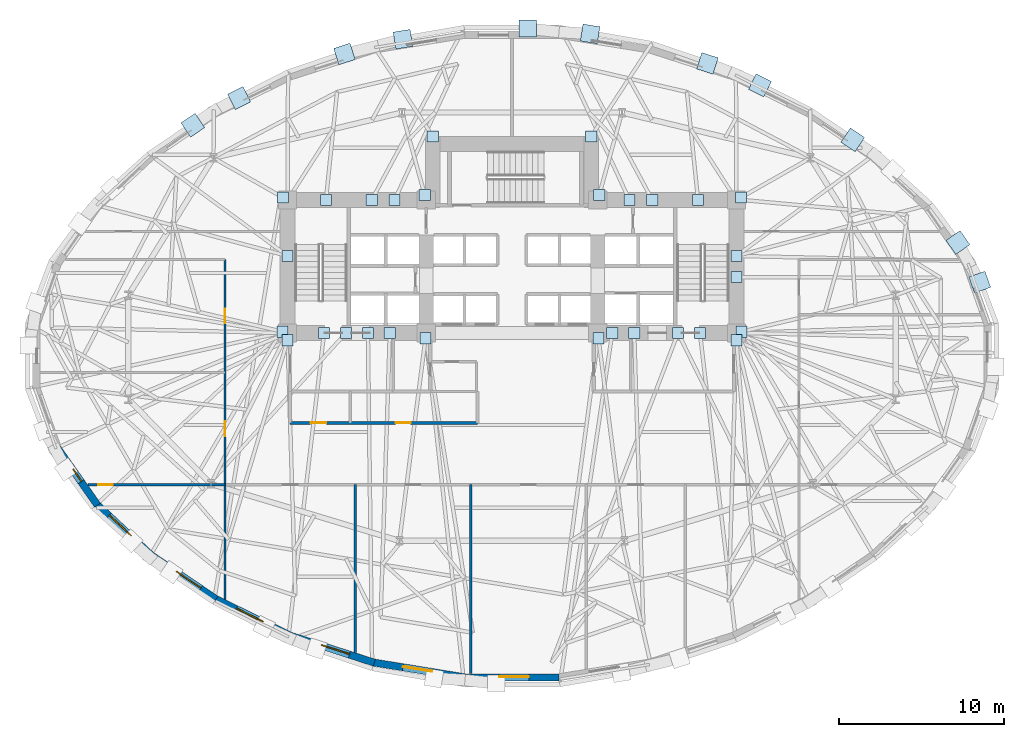
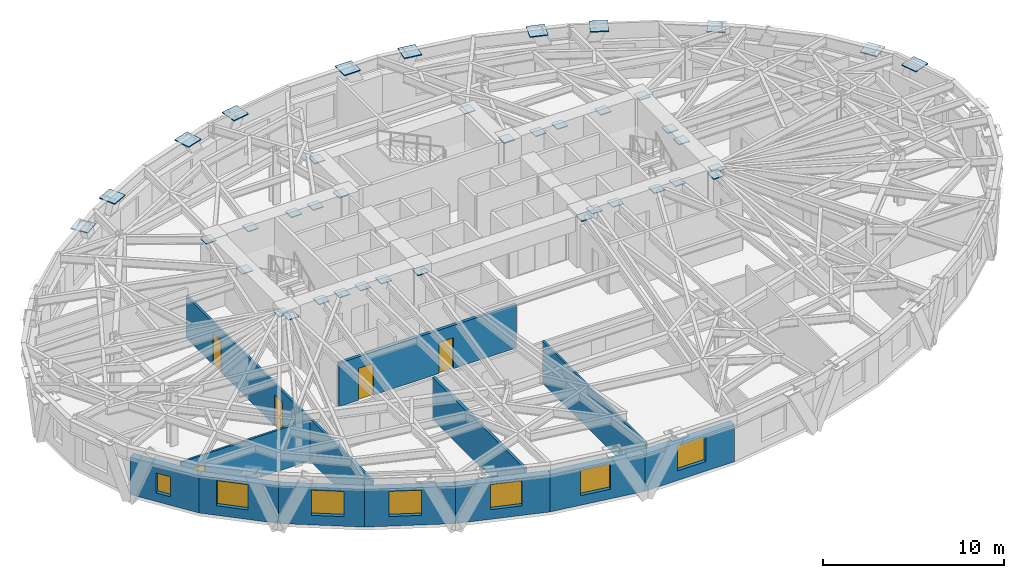
# One storey, part 6 of 14: 40 plates, 12 walls, 7 windows, 5 doors, 12 openings.
"""IFC4 building model written with IfcOpenShell, lengths in metres."""

from ifc_helpers import new_model, si_unit, direction, frame, frame_2d, origin, origin_2d, place, context, subcontext, project, spatial, rectangle, extrude, material, layer, layer_set, type_object, element, fill, save


model = new_model("IFC4")

# Units and contexts
model_context = context("Model", 3, precision=1e-05, world=origin(), true_north=direction((0.0, 1.0)))
body_context = subcontext(model_context, "Body", "Model", "MODEL_VIEW")
ifc_project = project(units=[si_unit("LENGTHUNIT", "METRE"), si_unit("AREAUNIT", "SQUARE_METRE"), si_unit("VOLUMEUNIT", "CUBIC_METRE"), si_unit("PLANEANGLEUNIT", "RADIAN"), si_unit("MASSUNIT", "GRAM", prefix="KILO")], contexts=[model_context])

# Site, building, storey
site_placement = place(None, origin())
site = spatial("IfcSite", under=ifc_project, at=site_placement, CompositionType="ELEMENT")
building_placement = place(site_placement, origin())
building = spatial("IfcBuilding", under=site, at=building_placement, Name="Keldmark Tower", CompositionType="ELEMENT")
storey_placement = place(building_placement, frame((0.0, 0.0, 59.39990234375)))
storey = spatial("IfcBuildingStorey", under=building, at=storey_placement, Name="L15", CompositionType="ELEMENT", Elevation=59.39990234375)

# Plates
ifc_material_1 = material(Name="Steel ASTM A572 Grade 50", Category="steel")
ifc_layer_1 = layer(ifc_material_1, 0.06005859375)
ifc_layer_set_1 = layer_set([ifc_layer_1], Name="Steel ASTM A572 Grade 50")
plate_type_1 = type_object("IfcPlateType", Name="Belt Truss Kink Node Assembly KN01 60 mm", PredefinedType="USERDEFINED", material=ifc_layer_set_1)
for number, where, z_axis, x_axis, name in (
    (1, (13.91162109375, 1.473388671875, 3.09814453125), (0.0, 0.0, 1.0), (1.0, 0.0, 0.0), "L15 Core Wall Cast-In Embed Plate 377"),
    (2, (13.878173828125, 9.608154296875, 3.09814453125), (0.0, 0.0, 1.0), (1.0, 0.0, 0.0), "L15 Core Wall Cast-In Embed Plate 378"),
    (3, (5.28515625, 9.758544921875, 3.09814453125), (0.0, 0.0, 1.0), (1.0, 0.0, 0.0), "L15 Core Wall Cast-In Embed Plate 379"),
    (4, (-5.28515625, 9.758544921875, 3.09814453125), (0.0, 0.0, 1.0), (1.0, 0.0, 0.0), "L15 Core Wall Cast-In Embed Plate 380"),
    (5, (-13.878173828125, 9.608154296875, 3.09814453125), (0.0, 0.0, 1.0), (1.0, 0.0, 0.0), "L15 Core Wall Cast-In Embed Plate 381"),
    (6, (-13.91162109375, 1.473388671875, 3.09814453125), (0.0, 0.0, 1.0), (1.0, 0.0, 0.0), "L15 Core Wall Cast-In Embed Plate 382"),
    (7, (-5.24072265625, 1.08251953125, 3.09814453125), (0.0, 0.0, 1.0), (1.0, 0.0, 0.0), "L15 Core Wall Cast-In Embed Plate 383"),
    (8, (5.24072265625, 1.08251953125, 3.09814453125), (0.0, 0.0, 1.0), (1.0, 0.0, 0.0), "L15 Core Wall Cast-In Embed Plate 384"),
    (9, (11.278564453125, 9.449951171875, 3.10400390625), (0.0, 0.0, 1.0), (1.0, 0.0, 0.0), "L15 Core Wall Cast-In Embed Plate 385"),
    (10, (7.121337890625, 9.449951171875, 3.10400390625), (0.0, 0.0, 1.0), (1.0, 0.0, 0.0), "L15 Core Wall Cast-In Embed Plate 386"),
    (11, (-7.121337890625, 9.449951171875, 3.10400390625), (0.0, 0.0, 1.0), (1.0, 0.0, 0.0), "L15 Core Wall Cast-In Embed Plate 387"),
    (12, (-11.278564453125, 9.449951171875, 3.10400390625), (0.0, 0.0, 1.0), (1.0, 0.0, 0.0), "L15 Core Wall Cast-In Embed Plate 388"),
    (13, (-10.064208984375, 1.39990234375, 3.10400390625), (0.0, 0.0, 1.0), (1.0, 0.0, 0.0), "L15 Core Wall Cast-In Embed Plate 389"),
    (14, (13.60009765625, 0.949951171875, 3.10400390625), (0.0, 0.0, 1.0), (1.0, 0.0, 0.0), "L15 Core Wall Cast-In Embed Plate 390"),
    (15, (13.60009765625, 4.78564453125, 3.10400390625), (0.0, 0.0, 1.0), (1.0, 0.0, 0.0), "L15 Core Wall Cast-In Embed Plate 391"),
    (16, (13.60009765625, 6.064208984375, 3.10400390625), (0.0, 0.0, 1.0), (1.0, 0.0, 0.0), "L15 Core Wall Cast-In Embed Plate 392"),
    (17, (4.800048828125, 13.300048828125, 3.10400390625), (0.0, 0.0, 1.0), (1.0, 0.0, 0.0), "L15 Core Wall Cast-In Embed Plate 393"),
    (18, (8.507080078125, 9.449951171875, 3.10400390625), (0.0, 0.0, 1.0), (1.0, 0.0, 0.0), "L15 Core Wall Cast-In Embed Plate 394"),
    (19, (-8.507080078125, 9.449951171875, 3.10400390625), (0.0, 0.0, 1.0), (1.0, 0.0, 0.0), "L15 Core Wall Cast-In Embed Plate 395"),
    (20, (-4.800048828125, 13.300048828125, 3.10400390625), (0.0, 0.0, 1.0), (1.0, 0.0, 0.0), "L15 Core Wall Cast-In Embed Plate 396"),
    (21, (-13.60009765625, 6.064208984375, 3.10400390625), (0.0, 0.0, 1.0), (1.0, 0.0, 0.0), "L15 Core Wall Cast-In Embed Plate 397"),
    (22, (-13.60009765625, 0.949951171875, 3.10400390625), (0.0, 0.0, 1.0), (1.0, 0.0, 0.0), "L15 Core Wall Cast-In Embed Plate 398"),
    (23, (-11.392822265625, 1.39990234375, 3.10400390625), (0.0, 0.0, 1.0), (1.0, 0.0, 0.0), "L15 Core Wall Cast-In Embed Plate 399"),
    (24, (-7.406982421875, 1.39990234375, 3.10400390625), (0.0, 0.0, 1.0), (1.0, 0.0, 0.0), "L15 Core Wall Cast-In Embed Plate 400"),
    (25, (7.406982421875, 1.39990234375, 3.10400390625), (0.0, 0.0, 1.0), (1.0, 0.0, 0.0), "L15 Core Wall Cast-In Embed Plate 401"),
    (26, (11.392822265625, 1.39990234375, 3.10400390625), (0.0, 0.0, 1.0), (1.0, 0.0, 0.0), "L15 Core Wall Cast-In Embed Plate 402"),
    (27, (10.064208984375, 1.39990234375, 3.10400390625), (0.0, 0.0, 1.0), (1.0, 0.0, 0.0), "L15 Core Wall Cast-In Embed Plate 403"),
    (28, (-8.735595703125, 1.39990234375, 3.10400390625), (0.0, 0.0, 1.0), (1.0, 0.0, 0.0), "L15 Core Wall Cast-In Embed Plate 404"),
    (29, (6.07861328125, 1.39990234375, 3.10400390625), (0.0, 0.0, 1.0), (1.0, 0.0, 0.0), "L15 Core Wall Cast-In Embed Plate 405"),
):
    element("IfcPlate", number, at=place(storey_placement, frame(where, z_axis=z_axis, x_axis=x_axis)), inside=storey, type_object=plate_type_1, Name=name, ObjectType="CAP PLATE", PredefinedType="USERDEFINED", context=body_context, shape_type="SweptSolid", body=[
        extrude(rectangle(XDim=0.679931640625, YDim=0.679931640625, at=origin_2d()), origin(), (0.0, 0.0, 1.0), 0.054931640625),
    ])
ifc_material_2 = material(Name="Steel ASTM A572 Grade 50", Category="steel")
ifc_layer_2 = layer(ifc_material_2, 0.06494140625)
ifc_layer_set_2 = layer_set([ifc_layer_2], Name="Steel ASTM A572 Grade 50")
plate_type_2 = type_object("IfcPlateType", Name="Diagrid Node Assembly DN02 65 mm", PredefinedType="USERDEFINED", material=ifc_layer_set_2)
for number, where, z_axis, x_axis, name in (
    (30, (28.35009765625, 4.477783203125, 3.24755859375), (0.0, 0.0, 1.0), (-0.333313247568, 0.942816142732, 0.0), "L15 Diagrid Node Assembly 01"),
    (31, (27.02978515625, 6.88037109375, 3.24755859375), (0.0, 0.0, 1.0), (-0.573147450739, 0.819452255907, 0.0), "L15 Diagrid Node Assembly 02"),
    (32, (20.65380859375, 13.1044921875, 3.24755859375), (0.0, 0.0, 1.0), (-0.827668733006, 0.561216953062, 0.0), "L15 Diagrid Node Assembly 04"),
    (33, (15.033203125, 16.4072265625, 3.24755859375), (0.0, 0.0, 1.0), (-0.896949921811, 0.44213214966, 0.0), "L15 Diagrid Node Assembly 05"),
    (34, (11.844970703125, 17.73828125, 3.24755859375), (0.0, 0.0, 1.0), (-0.952022626946, 0.306027642189, 0.0), "L15 Diagrid Node Assembly 06"),
    (35, (4.735107421875, 19.52734375, 3.24755859375), (0.0, 0.0, 1.0), (-0.987052416168, 0.160398029092, 0.0), "L15 Diagrid Node Assembly 07"),
    (36, (0.9580078125, 19.84765625, 3.24755859375), (0.0, 0.0, 1.0), (-1.0, 0.0, 0.0), "L15 Diagrid Node Assembly 08"),
    (37, (-6.607177734375, 19.20263671875, 3.24755859375), (0.0, 0.0, 1.0), (-0.987052416168, -0.160398029092, 0.0), "L15 Diagrid Node Assembly 09"),
    (38, (-10.156005859375, 18.30810546875, 3.24755859375), (0.0, 0.0, 1.0), (-0.952022626946, -0.306027642189, 0.0), "L15 Diagrid Node Assembly 10"),
    (39, (-16.54150390625, 15.637451171875, 3.24755859375), (0.0, 0.0, 1.0), (-0.896949921811, -0.44213214966, 0.0), "L15 Diagrid Node Assembly 11"),
    (40, (-19.345947265625, 13.988525390625, 3.24755859375), (0.0, 0.0, 1.0), (-0.827668733006, -0.561216953062, 0.0), "L15 Diagrid Node Assembly 12"),
):
    element("IfcPlate", number, at=place(storey_placement, frame(where, z_axis=z_axis, x_axis=x_axis)), inside=storey, type_object=plate_type_2, Name=name, ObjectType="GUSSET", PredefinedType="USERDEFINED", context=body_context, shape_type="SweptSolid", body=[
        extrude(rectangle(XDim=1.0400390625, YDim=1.0400390625, at=origin_2d()), origin(), (0.0, 0.0, 1.0), 0.06494140625),
    ])

# Wall, openings, doors
ifc_material_3 = material(Name="Acoustic Double-Layer Gypsum Corridor Partition", Category="gypsum")
ifc_layer_3 = layer(ifc_material_3, 0.139892578125)
ifc_layer_set_3 = layer_set([ifc_layer_3], Name="Acoustic Double-Layer Gypsum Corridor Partition")
wall_type_1 = type_object("IfcWallType", Name="Acoustic Corridor Partition 140 mm", PredefinedType="PARTITIONING", material=ifc_layer_set_3)
wall_1_placement = place(storey_placement, frame((-17.39990234375, -14.745361328125, 0.0), z_axis=(0.0, 0.0, 1.0), x_axis=(0.0, 1.0, 0.0)))
wall_1 = element("IfcWall", 41, at=wall_1_placement, inside=storey, type_object=wall_type_1, Name="L15 Acoustic Corridor Partition 140 mm COR-W", PredefinedType="PARTITIONING", context=body_context, shape_type="SweptSolid", body=[
    extrude(rectangle(XDim=20.595458984375, YDim=0.139892578125, at=frame_2d((10.2978515625, 0.0))), origin(), (0.0, 0.0, 1.0), 2.841064453125),
])
opening_1_placement = place(wall_1_placement, frame((9.89501953125, 0.0, 0.0)))
opening_1 = element("IfcOpeningElement", 42, at=opening_1_placement, cuts=wall_1, Name="Opening D-IN090", PredefinedType="OPENING", context=body_context, shape_type="SweptSolid", body=[
    extrude(rectangle(XDim=0.89990234375, YDim=2.10009765625, at=frame_2d((0.449951171875, 1.050048828125))), frame((0.0, 0.079833984375, 0.0), z_axis=(0.0, -1.0, 0.0), x_axis=(1.0, 0.0, 0.0)), (0.0, 0.0, 1.0), 0.159912109375),
])
opening_2_placement = place(wall_1_placement, frame((16.719970703125, 0.0, 0.0)))
opening_2 = element("IfcOpeningElement", 43, at=opening_2_placement, cuts=wall_1, Name="Opening D-IN090", PredefinedType="OPENING", context=body_context, shape_type="SweptSolid", body=[
    extrude(rectangle(XDim=0.89990234375, YDim=2.10009765625, at=frame_2d((0.449951171875, 1.050048828125))), frame((0.0, 0.079833984375, 0.0), z_axis=(0.0, -1.0, 0.0), x_axis=(1.0, 0.0, 0.0)), (0.0, 0.0, 1.0), 0.159912109375),
])
ifc_material_4 = material(Name="Stained American White Oak Veneer", Category="wood")
door_type_1 = type_object("IfcDoorType", Name="Interior Door 900x2100", OperationType="NOTDEFINED", PredefinedType="DOOR", material=ifc_material_4)
door_1_placement = place(opening_1_placement, origin())
door_1 = element("IfcDoor", 44, at=door_1_placement, inside=storey, type_object=door_type_1, Name="L15 Interior Door 900x2100 D-WR-1-L15", OperationType="SINGLE_SWING_RIGHT", OverallHeight=2.10009765625, OverallWidth=0.89990234375, PredefinedType="DOOR", context=body_context, shape_type="SweptSolid", body=[
    extrude(rectangle(XDim=0.89990234375, YDim=2.10009765625, at=frame_2d((0.449951171875, 1.050048828125))), frame((0.0, 0.02490234375, 0.0), z_axis=(0.0, -1.0, 0.0), x_axis=(1.0, 0.0, 0.0)), (0.0, 0.0, 1.0), 0.050048828125),
])
fill(opening_1, door_1)
door_2_placement = place(opening_2_placement, origin())
door_2 = element("IfcDoor", 45, at=door_2_placement, inside=storey, type_object=door_type_1, Name="L15 Interior Door 900x2100 D-WR-2-L15", OperationType="SINGLE_SWING_RIGHT", OverallHeight=2.10009765625, OverallWidth=0.89990234375, PredefinedType="DOOR", context=body_context, shape_type="SweptSolid", body=[
    extrude(rectangle(XDim=0.89990234375, YDim=2.10009765625, at=frame_2d((0.449951171875, 1.050048828125))), frame((0.0, 0.02490234375, 0.0), z_axis=(0.0, -1.0, 0.0), x_axis=(1.0, 0.0, 0.0)), (0.0, 0.0, 1.0), 0.050048828125),
])
fill(opening_2, door_2)

# Wall
ifc_material_5 = material(Name="STC-58 Insulated Tenant Demising Gypsum Partition", Category="gypsum")
ifc_layer_4 = layer(ifc_material_5, 0.175048828125)
ifc_layer_set_4 = layer_set([ifc_layer_4], Name="STC-58 Insulated Tenant Demising Gypsum Partition")
wall_type_2 = type_object("IfcWallType", Name="Demising Suite Partition 175 mm", PredefinedType="PARTITIONING", material=ifc_layer_set_4)
wall_2_placement = place(storey_placement, frame((-9.5, -17.97802734375, 0.0), z_axis=(0.0, 0.0, 1.0), x_axis=(0.0, 1.0, 0.0)))
element("IfcWall", 46, at=wall_2_placement, inside=storey, type_object=wall_type_2, Name="L15 Demising Suite Partition 175 mm S-DIV-1", PredefinedType="PARTITIONING", context=body_context, shape_type="SweptSolid", body=[
    extrude(rectangle(XDim=10.177978515625, YDim=0.175048828125, at=frame_2d((5.0888671875, 0.0))), origin(), (0.0, 0.0, 1.0), 2.85302734375),
])

# Wall, openings, doors
ifc_material_6 = material(Name="Heavy Acoustic Plumbing Chase Gypsum Assembly", Category="gypsum")
ifc_layer_5 = layer(ifc_material_6, 0.18994140625)
ifc_layer_set_5 = layer_set([ifc_layer_5], Name="Heavy Acoustic Plumbing Chase Gypsum Assembly")
wall_type_3 = type_object("IfcWallType", Name="Heavy Wet Wall 190 mm", PredefinedType="PLUMBINGWALL", material=ifc_layer_set_5)
wall_3_placement = place(storey_placement, frame((-13.449951171875, -4.050048828125, 0.0), z_axis=(0.0, 0.0, 1.0), x_axis=(1.0, 0.0, 0.0)))
wall_3 = element("IfcWall", 47, at=wall_3_placement, inside=storey, type_object=wall_type_3, Name="L15 Heavy Wet Wall 190 mm SPK-W-S", PredefinedType="PLUMBINGWALL", context=body_context, shape_type="SweptSolid", body=[
    extrude(rectangle(XDim=11.349853515625, YDim=0.18994140625, at=frame_2d((5.6748046875, 0.0))), origin(), (0.0, 0.0, 1.0), 2.93310546875),
])
opening_3_placement = place(wall_3_placement, frame((1.25, 0.0, 0.0)))
opening_3 = element("IfcOpeningElement", 48, at=opening_3_placement, cuts=wall_3, Name="Opening D-AWC95", PredefinedType="OPENING", context=body_context, shape_type="SweptSolid", body=[
    extrude(rectangle(XDim=0.949951171875, YDim=2.14990234375, at=frame_2d((0.47509765625, 1.074951171875))), frame((0.0, 0.10498046875, 0.0), z_axis=(0.0, -1.0, 0.0), x_axis=(1.0, 0.0, 0.0)), (0.0, 0.0, 1.0), 0.2099609375),
])
opening_4_placement = place(wall_3_placement, frame((6.39990234375, 0.0, 0.0)))
opening_4 = element("IfcOpeningElement", 49, at=opening_4_placement, cuts=wall_3, Name="Opening D-IN090", PredefinedType="OPENING", context=body_context, shape_type="SweptSolid", body=[
    extrude(rectangle(XDim=0.89990234375, YDim=2.10009765625, at=frame_2d((0.449951171875, 1.050048828125))), frame((0.0, 0.10498046875, 0.0), z_axis=(0.0, -1.0, 0.0), x_axis=(1.0, 0.0, 0.0)), (0.0, 0.0, 1.0), 0.2099609375),
])
ifc_material_7 = material(Name="Painted Solid-Core Architectural Wood", Category="wood")
door_type_2 = type_object("IfcDoorType", Name="Accessible WC Door 950x2150", OperationType="NOTDEFINED", PredefinedType="DOOR", material=ifc_material_7)
door_3_placement = place(opening_3_placement, origin())
door_3 = element("IfcDoor", 50, at=door_3_placement, inside=storey, type_object=door_type_2, Name="L15 Accessible WC Door 950x2150 D-SPKW1-L15", OperationType="SINGLE_SWING_RIGHT", OverallHeight=2.14990234375, OverallWidth=0.949951171875, PredefinedType="DOOR", context=body_context, shape_type="SweptSolid", body=[
    extrude(rectangle(XDim=0.949951171875, YDim=2.14990234375, at=frame_2d((0.47509765625, 1.074951171875))), frame((0.0, 0.02490234375, 0.0), z_axis=(0.0, -1.0, 0.0), x_axis=(1.0, 0.0, 0.0)), (0.0, 0.0, 1.0), 0.050048828125),
])
fill(opening_3, door_3)
door_4_placement = place(opening_4_placement, origin())
door_4 = element("IfcDoor", 51, at=door_4_placement, inside=storey, type_object=door_type_1, Name="L15 Interior Door 900x2100 D-SPKW2-L15", OperationType="SINGLE_SWING_RIGHT", OverallHeight=2.10009765625, OverallWidth=0.89990234375, PredefinedType="DOOR", context=body_context, shape_type="SweptSolid", body=[
    extrude(rectangle(XDim=0.89990234375, YDim=2.10009765625, at=frame_2d((0.449951171875, 1.050048828125))), frame((0.0, 0.02490234375, 0.0), z_axis=(0.0, -1.0, 0.0), x_axis=(1.0, 0.0, 0.0)), (0.0, 0.0, 1.0), 0.050048828125),
])
fill(opening_4, door_4)

# Wall
ifc_material_8 = material(Name="Acoustic Gypsum Board Interior Partition", Category="gypsum")
ifc_layer_6 = layer(ifc_material_8, 0.1298828125)
ifc_layer_set_6 = layer_set([ifc_layer_6], Name="Acoustic Gypsum Board Interior Partition")
wall_type_4 = type_object("IfcWallType", Name="Interior Partition 130 mm", PredefinedType="PARTITIONING", material=ifc_layer_set_6)
wall_4_placement = place(storey_placement, frame((-2.5, -19.252197265625, 0.0), z_axis=(0.0, 0.0, 1.0), x_axis=(0.0, 1.0, 0.0)))
element("IfcWall", 52, at=wall_4_placement, inside=storey, type_object=wall_type_4, Name="L15 Interior Partition 130 mm S-DIV-2", PredefinedType="PARTITIONING", context=body_context, shape_type="SweptSolid", body=[
    extrude(rectangle(XDim=11.4521484375, YDim=0.1298828125, at=frame_2d((5.72607421875, 0.0))), origin(), (0.0, 0.0, 1.0), 2.85302734375),
])

# Wall, opening, door
wall_5_placement = place(storey_placement, frame((-25.71435546875, -7.800048828125, 0.0), z_axis=(0.0, 0.0, 1.0), x_axis=(1.0, 0.0, 0.0)))
wall_5 = element("IfcWall", 53, at=wall_5_placement, inside=storey, type_object=wall_type_4, Name="L15 Interior Partition 130 mm W-CAP-S", PredefinedType="PARTITIONING", context=body_context, shape_type="SweptSolid", body=[
    extrude(rectangle(XDim=8.314453125, YDim=0.1298828125, at=frame_2d((4.1572265625, 0.0))), origin(), (0.0, 0.0, 1.0), 2.779052734375),
])
opening_5_placement = place(wall_5_placement, frame((0.6298828125, 0.0, 0.0)))
opening_5 = element("IfcOpeningElement", 54, at=opening_5_placement, cuts=wall_5, Name="Opening D-IN090", PredefinedType="OPENING", context=body_context, shape_type="SweptSolid", body=[
    extrude(rectangle(XDim=0.89990234375, YDim=2.10009765625, at=frame_2d((0.449951171875, 1.050048828125))), frame((0.0, 0.074951171875, 0.0), z_axis=(0.0, -1.0, 0.0), x_axis=(1.0, 0.0, 0.0)), (0.0, 0.0, 1.0), 0.14990234375),
])
door_5_placement = place(opening_5_placement, origin())
door_5 = element("IfcDoor", 55, at=door_5_placement, inside=storey, type_object=door_type_1, Name="L15 Interior Door 900x2100 D-WRSW-L15", OperationType="SINGLE_SWING_LEFT", OverallHeight=2.10009765625, OverallWidth=0.89990234375, PredefinedType="DOOR", context=body_context, shape_type="SweptSolid", body=[
    extrude(rectangle(XDim=0.89990234375, YDim=2.10009765625, at=frame_2d((0.449951171875, 1.050048828125))), frame((0.0, 0.02490234375, 0.0), z_axis=(0.0, -1.0, 0.0), x_axis=(1.0, 0.0, 0.0)), (0.0, 0.0, 1.0), 0.050048828125),
])
fill(opening_5, door_5)

# Wall, opening, window
ifc_material_9 = material(Name="Ironspot Manganese Brick and Kasota Buff Limestone Spandrel Assembly", Category="masonry")
ifc_layer_7 = layer(ifc_material_9, 0.43994140625)
ifc_layer_set_7 = layer_set([ifc_layer_7], Name="Ironspot Manganese Brick and Kasota Buff Limestone Spandrel Assembly")
wall_type_5 = type_object("IfcWallType", Name="Tower Brick Pier and Spandrel Wall 440 mm", PredefinedType="STANDARD", material=ifc_layer_set_7)
wall_6_placement = place(storey_placement, frame((-25.123046875, -9.043212890625, 0.0), z_axis=(0.0, 0.0, 1.0), x_axis=(-0.573152463572, 0.819448749771, 0.0)))
wall_6 = element("IfcWall", 56, at=wall_6_placement, inside=storey, type_object=wall_type_5, Name="L15 Exterior Brick and Spandrel Wall 18", PredefinedType="STANDARD", context=body_context, shape_type="SweptSolid", body=[
    extrude(rectangle(XDim=4.230712890625, YDim=0.43994140625, at=frame_2d((2.115234375, 0.0))), origin(), (0.0, 0.0, 1.0), 2.529052734375),
])
opening_6_placement = place(wall_6_placement, frame((1.73974609375, 0.0, 0.580078125)))
opening_6 = element("IfcOpeningElement", 57, at=opening_6_placement, cuts=wall_6, Name="Opening W-09", PredefinedType="OPENING", context=body_context, shape_type="SweptSolid", body=[
    extrude(rectangle(XDim=0.89990234375, YDim=1.35009765625, at=frame_2d((0.449951171875, 0.675048828125))), frame((0.0, 0.22998046875, 0.0), z_axis=(0.0, -1.0, 0.0), x_axis=(1.0, 0.0, 0.0)), (0.0, 0.0, 1.0), 0.4599609375),
])
ifc_material_10 = material(Name="Thermally Broken Anodized Aluminum and Triple Low-E Argon Glazing", Category="aluminium")
window_type_1 = type_object("IfcWindowType", Name="Corner Pier Deep-Set Window 900x1350", PartitioningType="SINGLE_PANEL", PredefinedType="WINDOW", material=ifc_material_10)
window_1_placement = place(opening_6_placement, origin())
window_1 = element("IfcWindow", 58, at=window_1_placement, inside=storey, type_object=window_type_1, Name="L15 Deep-Set Window 18", OverallHeight=1.35009765625, OverallWidth=0.89990234375, PartitioningType="SINGLE_PANEL", PredefinedType="WINDOW", context=body_context, shape_type="SweptSolid", body=[
    extrude(rectangle(XDim=0.89990234375, YDim=1.35009765625, at=frame_2d((0.449951171875, 0.675048828125))), frame((0.0, -0.010009765625, 0.0), z_axis=(0.0, -1.0, 0.0), x_axis=(1.0, 0.0, 0.0)), (0.0, 0.0, 1.0), 0.06005859375),
])
fill(opening_6, window_1)

wall_7_placement = place(storey_placement, frame((-21.856201171875, -12.083251953125, 0.0), z_axis=(0.0, 0.0, 1.0), x_axis=(-0.731343335822, 0.682009475849, 0.0)))
wall_7 = element("IfcWall", 59, at=wall_7_placement, inside=storey, type_object=wall_type_5, Name="L15 Exterior Brick and Spandrel Wall 19", PredefinedType="STANDARD", context=body_context, shape_type="SweptSolid", body=[
    extrude(rectangle(XDim=4.50830078125, YDim=0.43994140625, at=frame_2d((2.254150390625, 0.0))), origin(), (0.0, 0.0, 1.0), 2.529052734375),
])
opening_7_placement = place(wall_7_placement, frame((1.722412109375, 0.0, 0.64990234375)))
opening_7 = element("IfcOpeningElement", 60, at=opening_7_placement, cuts=wall_7, Name="Opening W-02", PredefinedType="OPENING", context=body_context, shape_type="SweptSolid", body=[
    extrude(rectangle(XDim=1.800048828125, YDim=1.699951171875, at=frame_2d((0.89990234375, 0.85009765625))), frame((0.0, 0.22998046875, 0.0), z_axis=(0.0, -1.0, 0.0), x_axis=(1.0, 0.0, 0.0)), (0.0, 0.0, 1.0), 0.4599609375),
])
ifc_material_11 = material(Name="Thermally Broken Anodized Aluminum and Triple Low-E Argon Glazing", Category="aluminium")
window_type_2 = type_object("IfcWindowType", Name="Office Deep-Set Triple Window 1800x1700", PartitioningType="TRIPLE_PANEL_VERTICAL", PredefinedType="WINDOW", material=ifc_material_11)
window_2_placement = place(opening_7_placement, origin())
window_2 = element("IfcWindow", 61, at=window_2_placement, inside=storey, type_object=window_type_2, Name="L15 Deep-Set Window 19", OverallHeight=1.699951171875, OverallWidth=1.800048828125, PartitioningType="SINGLE_PANEL", PredefinedType="WINDOW", context=body_context, shape_type="SweptSolid", body=[
    extrude(rectangle(XDim=1.800048828125, YDim=1.699951171875, at=frame_2d((0.89990234375, 0.85009765625))), frame((0.0, -0.010009765625, 0.0), z_axis=(0.0, -1.0, 0.0), x_axis=(1.0, 0.0, 0.0)), (0.0, 0.0, 1.0), 0.06005859375),
])
fill(opening_7, window_2)

wall_8_placement = place(storey_placement, frame((-17.9365234375, -14.7373046875, 0.0), z_axis=(0.0, 0.0, 1.0), x_axis=(-0.827723816917, 0.561135708103, 0.0)))
wall_8 = element("IfcWall", 62, at=wall_8_placement, inside=storey, type_object=wall_type_5, Name="L15 Exterior Brick and Spandrel Wall 20", PredefinedType="STANDARD", context=body_context, shape_type="SweptSolid", body=[
    extrude(rectangle(XDim=4.767578125, YDim=0.43994140625, at=frame_2d((2.3837890625, 0.0))), origin(), (0.0, 0.0, 1.0), 2.529052734375),
])
opening_8_placement = place(wall_8_placement, frame((1.13818359375, 0.0, 0.64990234375)))
opening_8 = element("IfcOpeningElement", 63, at=opening_8_placement, cuts=wall_8, Name="Opening W-02", PredefinedType="OPENING", context=body_context, shape_type="SweptSolid", body=[
    extrude(rectangle(XDim=1.800048828125, YDim=1.699951171875, at=frame_2d((0.89990234375, 0.85009765625))), frame((0.0, 0.22998046875, 0.0), z_axis=(0.0, -1.0, 0.0), x_axis=(1.0, 0.0, 0.0)), (0.0, 0.0, 1.0), 0.4599609375),
])
window_3_placement = place(opening_8_placement, origin())
window_3 = element("IfcWindow", 64, at=window_3_placement, inside=storey, type_object=window_type_2, Name="L15 Deep-Set Window 20", OverallHeight=1.699951171875, OverallWidth=1.800048828125, PartitioningType="SINGLE_PANEL", PredefinedType="WINDOW", context=body_context, shape_type="SweptSolid", body=[
    extrude(rectangle(XDim=1.800048828125, YDim=1.699951171875, at=frame_2d((0.89990234375, 0.85009765625))), frame((0.0, -0.010009765625, 0.0), z_axis=(0.0, -1.0, 0.0), x_axis=(1.0, 0.0, 0.0)), (0.0, 0.0, 1.0), 0.06005859375),
])
fill(opening_8, window_3)

wall_9_placement = place(storey_placement, frame((-13.427734375, -16.95751953125, 0.0), z_axis=(0.0, 0.0, 1.0), x_axis=(-0.896962161347, 0.442107318545, 0.0)))
wall_9 = element("IfcWall", 65, at=wall_9_placement, inside=storey, type_object=wall_type_5, Name="L15 Exterior Brick and Spandrel Wall 21", PredefinedType="STANDARD", context=body_context, shape_type="SweptSolid", body=[
    extrude(rectangle(XDim=5.05615234375, YDim=0.43994140625, at=frame_2d((2.528076171875, 0.0))), origin(), (0.0, 0.0, 1.0), 2.529052734375),
])
opening_9_placement = place(wall_9_placement, frame((1.874267578125, 0.0, 0.64990234375)))
opening_9 = element("IfcOpeningElement", 66, at=opening_9_placement, cuts=wall_9, Name="Opening W-02", PredefinedType="OPENING", context=body_context, shape_type="SweptSolid", body=[
    extrude(rectangle(XDim=1.800048828125, YDim=1.699951171875, at=frame_2d((0.89990234375, 0.85009765625))), frame((0.0, 0.22998046875, 0.0), z_axis=(0.0, -1.0, 0.0), x_axis=(1.0, 0.0, 0.0)), (0.0, 0.0, 1.0), 0.4599609375),
])
window_4_placement = place(opening_9_placement, origin())
window_4 = element("IfcWindow", 67, at=window_4_placement, inside=storey, type_object=window_type_2, Name="L15 Deep-Set Window 21", OverallHeight=1.699951171875, OverallWidth=1.800048828125, PartitioningType="SINGLE_PANEL", PredefinedType="WINDOW", context=body_context, shape_type="SweptSolid", body=[
    extrude(rectangle(XDim=1.800048828125, YDim=1.699951171875, at=frame_2d((0.89990234375, 0.85009765625))), frame((0.0, -0.010009765625, 0.0), z_axis=(0.0, -1.0, 0.0), x_axis=(1.0, 0.0, 0.0)), (0.0, 0.0, 1.0), 0.06005859375),
])
fill(opening_9, window_4)

wall_10_placement = place(storey_placement, frame((-8.343994140625, -18.589111328125, 0.0), z_axis=(0.0, 0.0, 1.0), x_axis=(-0.95202383213, 0.30602389295, 0.0)))
wall_10 = element("IfcWall", 68, at=wall_10_placement, inside=storey, type_object=wall_type_5, Name="L15 Exterior Brick and Spandrel Wall 22", PredefinedType="STANDARD", context=body_context, shape_type="SweptSolid", body=[
    extrude(rectangle(XDim=5.37158203125, YDim=0.43994140625, at=frame_2d((2.685791015625, 0.0))), origin(), (0.0, 0.0, 1.0), 2.529052734375),
])
opening_10_placement = place(wall_10_placement, frame((1.58740234375, 0.0, 0.64990234375)))
opening_10 = element("IfcOpeningElement", 69, at=opening_10_placement, cuts=wall_10, Name="Opening W-02", PredefinedType="OPENING", context=body_context, shape_type="SweptSolid", body=[
    extrude(rectangle(XDim=1.800048828125, YDim=1.699951171875, at=frame_2d((0.89990234375, 0.85009765625))), frame((0.0, 0.22998046875, 0.0), z_axis=(0.0, -1.0, 0.0), x_axis=(1.0, 0.0, 0.0)), (0.0, 0.0, 1.0), 0.4599609375),
])
window_5_placement = place(opening_10_placement, origin())
window_5 = element("IfcWindow", 70, at=window_5_placement, inside=storey, type_object=window_type_2, Name="L15 Deep-Set Window 22", OverallHeight=1.699951171875, OverallWidth=1.800048828125, PartitioningType="SINGLE_PANEL", PredefinedType="WINDOW", context=body_context, shape_type="SweptSolid", body=[
    extrude(rectangle(XDim=1.800048828125, YDim=1.699951171875, at=frame_2d((0.89990234375, 0.85009765625))), frame((0.0, -0.010009765625, 0.0), z_axis=(0.0, -1.0, 0.0), x_axis=(1.0, 0.0, 0.0)), (0.0, 0.0, 1.0), 0.06005859375),
])
fill(opening_10, window_5)

wall_11_placement = place(storey_placement, frame((-2.82666015625, -19.48291015625, 0.0), z_axis=(0.0, 0.0, 1.0), x_axis=(-0.987057031186, 0.160369626756, 0.0)))
wall_11 = element("IfcWall", 71, at=wall_11_placement, inside=storey, type_object=wall_type_5, Name="L15 Exterior Brick and Spandrel Wall 23", PredefinedType="STANDARD", context=body_context, shape_type="SweptSolid", body=[
    extrude(rectangle(XDim=5.6220703125, YDim=0.43994140625, at=frame_2d((2.81103515625, 0.0))), origin(), (0.0, 0.0, 1.0), 2.529052734375),
])
opening_11_placement = place(wall_11_placement, frame((2.034912109375, 0.0, 0.64990234375)))
opening_11 = element("IfcOpeningElement", 72, at=opening_11_placement, cuts=wall_11, Name="Opening W-02", PredefinedType="OPENING", context=body_context, shape_type="SweptSolid", body=[
    extrude(rectangle(XDim=1.800048828125, YDim=1.699951171875, at=frame_2d((0.89990234375, 0.85009765625))), frame((0.0, 0.22998046875, 0.0), z_axis=(0.0, -1.0, 0.0), x_axis=(1.0, 0.0, 0.0)), (0.0, 0.0, 1.0), 0.4599609375),
])
window_6_placement = place(opening_11_placement, origin())
window_6 = element("IfcWindow", 73, at=window_6_placement, inside=storey, type_object=window_type_2, Name="L15 Deep-Set Window 23", OverallHeight=1.699951171875, OverallWidth=1.800048828125, PartitioningType="SINGLE_PANEL", PredefinedType="WINDOW", context=body_context, shape_type="SweptSolid", body=[
    extrude(rectangle(XDim=1.800048828125, YDim=1.699951171875, at=frame_2d((0.89990234375, 0.85009765625))), frame((0.0, -0.010009765625, 0.0), z_axis=(0.0, -1.0, 0.0), x_axis=(1.0, 0.0, 0.0)), (0.0, 0.0, 1.0), 0.06005859375),
])
fill(opening_11, window_6)

wall_12_placement = place(storey_placement, frame((2.862060546875, -19.480224609375, 0.0), z_axis=(0.0, 0.0, 1.0), x_axis=(-1.0, 0.0, 0.0)))
wall_12 = element("IfcWall", 74, at=wall_12_placement, inside=storey, type_object=wall_type_5, Name="L15 Exterior Brick and Spandrel Wall 24", PredefinedType="STANDARD", context=body_context, shape_type="SweptSolid", body=[
    extrude(rectangle(XDim=5.72412109375, YDim=0.43994140625, at=frame_2d((2.862060546875, 0.0))), origin(), (0.0, 0.0, 1.0), 2.533203125),
])
opening_12_placement = place(wall_12_placement, frame((1.837890625, 0.0, 0.64990234375)))
opening_12 = element("IfcOpeningElement", 75, at=opening_12_placement, cuts=wall_12, Name="Opening W-02", PredefinedType="OPENING", context=body_context, shape_type="SweptSolid", body=[
    extrude(rectangle(XDim=1.800048828125, YDim=1.699951171875, at=frame_2d((0.89990234375, 0.85009765625))), frame((0.0, 0.22998046875, 0.0), z_axis=(0.0, -1.0, 0.0), x_axis=(1.0, 0.0, 0.0)), (0.0, 0.0, 1.0), 0.4599609375),
])
window_7_placement = place(opening_12_placement, origin())
window_7 = element("IfcWindow", 76, at=window_7_placement, inside=storey, type_object=window_type_2, Name="L15 Deep-Set Window 24", OverallHeight=1.699951171875, OverallWidth=1.800048828125, PartitioningType="SINGLE_PANEL", PredefinedType="WINDOW", context=body_context, shape_type="SweptSolid", body=[
    extrude(rectangle(XDim=1.800048828125, YDim=1.699951171875, at=frame_2d((0.89990234375, 0.85009765625))), frame((0.0, -0.010009765625, 0.0), z_axis=(0.0, -1.0, 0.0), x_axis=(1.0, 0.0, 0.0)), (0.0, 0.0, 1.0), 0.06005859375),
])
fill(opening_12, window_7)

save(model, "model.ifc")
